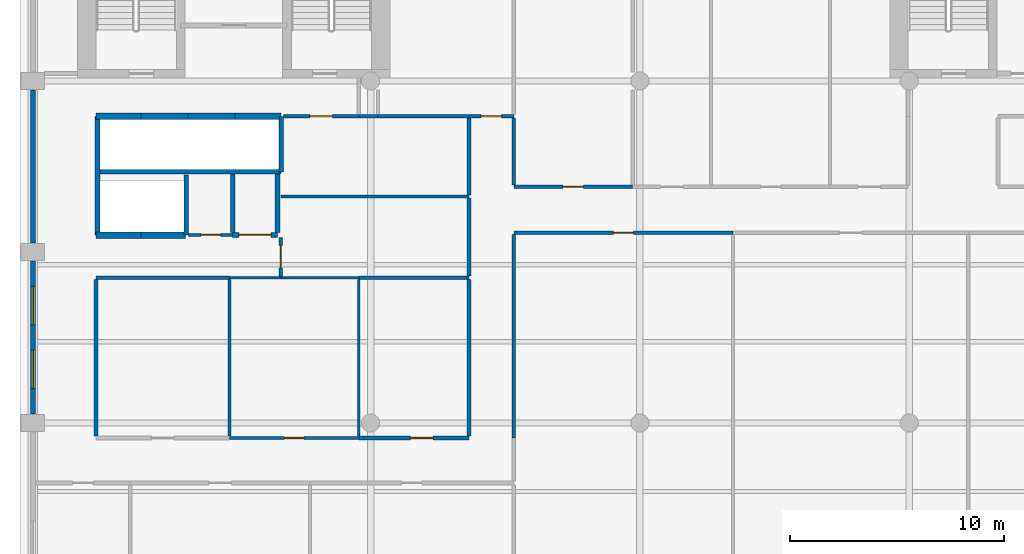
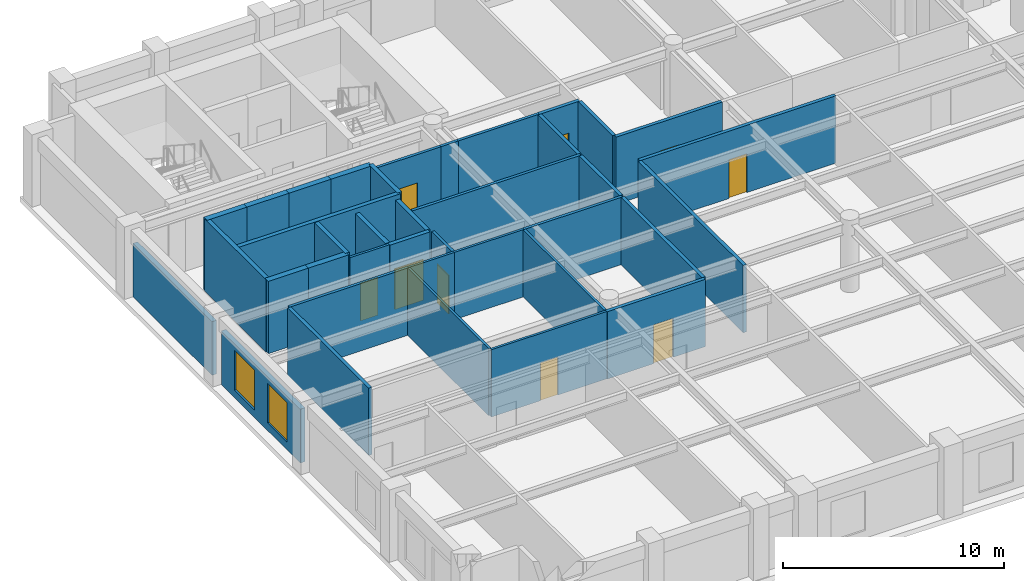
# One storey, part 3 of 8: 38 walls, 9 doors, 2 windows, 11 openings.
"""IFC4 building model written with IfcOpenShell, lengths in metres."""

from ifc_helpers import new_model, si_unit, direction, frame, frame_2d, origin, place, context, subcontext, project, spatial, rectangle, extrude, material, layer, layer_set, type_object, element, fill, save


model = new_model("IFC4")

# Units and contexts
model_context = context("Model", 3, precision=1e-05, world=origin(), true_north=direction((0.0, 1.0)))
body_context = subcontext(model_context, "Body", "Model", "MODEL_VIEW")
ifc_project = project(units=[si_unit("LENGTHUNIT", "METRE"), si_unit("AREAUNIT", "SQUARE_METRE"), si_unit("VOLUMEUNIT", "CUBIC_METRE"), si_unit("PLANEANGLEUNIT", "RADIAN"), si_unit("MASSUNIT", "GRAM", prefix="KILO")], contexts=[model_context])

# Site, building, storey
site_placement = place(None, origin())
site = spatial("IfcSite", under=ifc_project, at=site_placement, CompositionType="ELEMENT")
building_placement = place(site_placement, origin())
building = spatial("IfcBuilding", under=site, at=building_placement, Name="Sulina Concourse Tower", CompositionType="ELEMENT")
storey_placement = place(building_placement, frame((0.0, 0.0, 174.60009765625)))
storey = spatial("IfcBuildingStorey", under=building, at=storey_placement, Name="L42", CompositionType="ELEMENT", Elevation=174.60009765625)

# Walls
ifc_material_1 = material(Name="Concrete C50/60", Category="concrete")
ifc_layer_1 = layer(ifc_material_1, 0.219970703125)
ifc_layer_set_1 = layer_set([ifc_layer_1], Name="Concrete C50/60")
wall_type_1 = type_object("IfcWallType", Name="Core Lift Hoistway Divider Wall 220mm", PredefinedType="SOLIDWALL", material=ifc_layer_set_1)
wall_1_placement = place(storey_placement, frame((3.550048828125, 29.75, 0.0), z_axis=(0.0, 0.0, 1.0), x_axis=(1.0, 0.0, 0.0)))
element("IfcWall", 1, at=wall_1_placement, inside=storey, type_object=wall_type_1, Name="L42 shaft divider wall HW-LP3-S", PredefinedType="SOLIDWALL", context=body_context, shape_type="SweptSolid", body=[
    extrude(rectangle(XDim=8.64990234375, YDim=0.219970703125, at=frame_2d((4.324951171875, 0.0))), origin(), (0.0, 0.0, 1.0), 4.0),
])
wall_2_placement = place(storey_placement, frame((3.6298828125, 26.800048828125, 0.0), z_axis=(0.0, 0.0, 1.0), x_axis=(0.0, 1.0, 0.0)))
element("IfcWall", 2, at=wall_2_placement, inside=storey, type_object=wall_type_1, Name="L42 shaft divider wall HW-LP3-W", PredefinedType="SOLIDWALL", context=body_context, shape_type="SweptSolid", body=[
    extrude(rectangle(XDim=5.550048828125, YDim=0.219970703125, at=frame_2d((2.77490234375, 0.0))), origin(), (0.0, 0.0, 1.0), 4.0),
])
wall_3_placement = place(storey_placement, frame((7.780029296875, 26.800048828125, 0.0), z_axis=(0.0, 0.0, 1.0), x_axis=(0.0, 1.0, 0.0)))
element("IfcWall", 3, at=wall_3_placement, inside=storey, type_object=wall_type_1, Name="L42 shaft divider wall HW-EXP-E", PredefinedType="SOLIDWALL", context=body_context, shape_type="SweptSolid", body=[
    extrude(rectangle(XDim=2.800048828125, YDim=0.219970703125, at=frame_2d((1.39990234375, 0.0))), origin(), (0.0, 0.0, 1.0), 4.0),
])
wall_4_placement = place(storey_placement, frame((12.219970703125, 29.75, 0.0), z_axis=(0.0, 0.0, 1.0), x_axis=(0.0, 1.0, 0.0)))
element("IfcWall", 4, at=wall_4_placement, inside=storey, type_object=wall_type_1, Name="L42 shaft divider wall HW-LP3-E", PredefinedType="SOLIDWALL", context=body_context, shape_type="SweptSolid", body=[
    extrude(rectangle(XDim=2.60009765625, YDim=0.219970703125, at=frame_2d((1.300048828125, 0.0))), origin(), (0.0, 0.0, 1.0), 4.0),
])
ifc_material_2 = material(Name="Concrete C50/60", Category="concrete")
ifc_layer_2 = layer(ifc_material_2, 0.300048828125)
ifc_layer_set_2 = layer_set([ifc_layer_2], Name="Concrete C50/60")
wall_type_2 = type_object("IfcWallType", Name="Core Lift Hoistway Wall 300mm", PredefinedType="SOLIDWALL", material=ifc_layer_set_2)
wall_5_placement = place(storey_placement, frame((3.550048828125, 32.35009765625, 0.0), z_axis=(0.0, 0.0, 1.0), x_axis=(1.0, 0.0, 0.0)))
element("IfcWall", 5, at=wall_5_placement, inside=storey, type_object=wall_type_2, Name="L42 hoistway enclosure wall LP-09", PredefinedType="SOLIDWALL", context=body_context, shape_type="SweptSolid", body=[
    extrude(rectangle(XDim=2.099853515625, YDim=0.300048828125, at=frame_2d((1.0498046875, 0.0))), origin(), (0.0, 0.0, 1.0), 4.0),
])
wall_6_placement = place(storey_placement, frame((5.64990234375, 32.35009765625, 0.0), z_axis=(0.0, 0.0, 1.0), x_axis=(1.0, 0.0, 0.0)))
element("IfcWall", 6, at=wall_6_placement, inside=storey, type_object=wall_type_2, Name="L42 hoistway enclosure wall LP-10", PredefinedType="SOLIDWALL", context=body_context, shape_type="SweptSolid", body=[
    extrude(rectangle(XDim=2.2001953125, YDim=0.300048828125, at=frame_2d((1.10009765625, 0.0))), origin(), (0.0, 0.0, 1.0), 4.0),
])
wall_7_placement = place(storey_placement, frame((7.85009765625, 32.35009765625, 0.0), z_axis=(0.0, 0.0, 1.0), x_axis=(1.0, 0.0, 0.0)))
element("IfcWall", 7, at=wall_7_placement, inside=storey, type_object=wall_type_2, Name="L42 hoistway enclosure wall LP-11", PredefinedType="SOLIDWALL", context=body_context, shape_type="SweptSolid", body=[
    extrude(rectangle(XDim=2.199951171875, YDim=0.300048828125, at=frame_2d((1.10009765625, 0.0))), origin(), (0.0, 0.0, 1.0), 4.0),
])
wall_8_placement = place(storey_placement, frame((10.050048828125, 32.35009765625, 0.0), z_axis=(0.0, 0.0, 1.0), x_axis=(1.0, 0.0, 0.0)))
element("IfcWall", 8, at=wall_8_placement, inside=storey, type_object=wall_type_2, Name="L42 hoistway enclosure wall LP-12", PredefinedType="SOLIDWALL", context=body_context, shape_type="SweptSolid", body=[
    extrude(rectangle(XDim=2.14990234375, YDim=0.300048828125, at=frame_2d((1.074951171875, 0.0))), origin(), (0.0, 0.0, 1.0), 4.0),
])
wall_9_placement = place(storey_placement, frame((5.64990234375, 26.780029296875, 0.0), z_axis=(0.0, 0.0, 1.0), x_axis=(-1.0, 0.0, 0.0)))
element("IfcWall", 9, at=wall_9_placement, inside=storey, type_object=wall_type_2, Name="L42 hoistway enclosure wall EXP-1", PredefinedType="SOLIDWALL", context=body_context, shape_type="SweptSolid", body=[
    extrude(rectangle(XDim=2.099853515625, YDim=0.300048828125, at=frame_2d((1.0498046875, 0.0))), origin(), (0.0, 0.0, 1.0), 4.0),
])
wall_10_placement = place(storey_placement, frame((7.75, 26.780029296875, 0.0), z_axis=(0.0, 0.0, 1.0), x_axis=(-1.0, 0.0, 0.0)))
element("IfcWall", 10, at=wall_10_placement, inside=storey, type_object=wall_type_2, Name="L42 hoistway enclosure wall EXP-2", PredefinedType="SOLIDWALL", context=body_context, shape_type="SweptSolid", body=[
    extrude(rectangle(XDim=2.10009765625, YDim=0.300048828125, at=frame_2d((1.050048828125, 0.0))), origin(), (0.0, 0.0, 1.0), 4.0),
])

# Wall, openings, windows
ifc_material_3 = material(Name="Precast concrete C50/60", Category="concrete")
ifc_layer_3 = layer(ifc_material_3, 0.239990234375)
ifc_layer_set_3 = layer_set([ifc_layer_3], Name="Precast concrete C50/60")
wall_type_3 = type_object("IfcWallType", Name="Crown Precast Masonry-Frame Facade Wall 240mm", PredefinedType="SOLIDWALL", material=ifc_layer_set_3)
wall_11_placement = place(storey_placement, frame((0.60009765625, 18.419921875, 0.0), z_axis=(0.0, 0.0, 1.0), x_axis=(0.0, 1.0, 0.0)))
wall_11 = element("IfcWall", 11, at=wall_11_placement, inside=storey, type_object=wall_type_3, Name="L42 exterior precast wall W3", PredefinedType="SOLIDWALL", context=body_context, shape_type="SweptSolid", body=[
    extrude(rectangle(XDim=7.16015625, YDim=0.239990234375, at=frame_2d((3.580078125, 0.0))), origin(), (0.0, 0.0, 1.0), 2.974853515625),
])
opening_1_placement = place(wall_11_placement, frame((1.186767578125, 0.0, 0.419921875)))
opening_1 = element("IfcOpeningElement", 12, at=opening_1_placement, cuts=wall_11, Name="Opening WN-25", PredefinedType="OPENING", context=body_context, shape_type="SweptSolid", body=[
    extrude(rectangle(XDim=1.800048828125, YDim=2.199951171875, at=frame_2d((0.89990234375, 1.10009765625))), frame((0.0, 0.1298828125, 0.0), z_axis=(0.0, -1.0, 0.0), x_axis=(1.0, 0.0, 0.0)), (0.0, 0.0, 1.0), 0.260009765625),
])
opening_2_placement = place(wall_11_placement, frame((4.17333984375, 0.0, 0.419921875)))
opening_2 = element("IfcOpeningElement", 13, at=opening_2_placement, cuts=wall_11, Name="Opening WN-25", PredefinedType="OPENING", context=body_context, shape_type="SweptSolid", body=[
    extrude(rectangle(XDim=1.800048828125, YDim=2.199951171875, at=frame_2d((0.89990234375, 1.10009765625))), frame((0.0, 0.1298828125, 0.0), z_axis=(0.0, -1.0, 0.0), x_axis=(1.0, 0.0, 0.0)), (0.0, 0.0, 1.0), 0.260009765625),
])
ifc_material_4 = material(Name="Low-E solar double glazing in bronze aluminium", Category="aluminium")
window_type = type_object("IfcWindowType", Name="Punched Masonry-Frame Window 1800x2200", PartitioningType="SINGLE_PANEL", PredefinedType="WINDOW", material=ifc_material_4)
window_1_placement = place(opening_1_placement, origin())
window_1 = element("IfcWindow", 14, at=window_1_placement, inside=storey, type_object=window_type, Name="L42 punched window W3-1", OverallHeight=2.199951171875, OverallWidth=1.800048828125, PartitioningType="SINGLE_PANEL", PredefinedType="WINDOW", context=body_context, shape_type="SweptSolid", body=[
    extrude(rectangle(XDim=1.800048828125, YDim=2.199951171875, at=frame_2d((0.89990234375, 1.10009765625))), frame((0.0, 0.030029296875, 0.0), z_axis=(0.0, -1.0, 0.0), x_axis=(1.0, 0.0, 0.0)), (0.0, 0.0, 1.0), 0.06005859375),
])
fill(opening_1, window_1)
window_2_placement = place(opening_2_placement, origin())
window_2 = element("IfcWindow", 15, at=window_2_placement, inside=storey, type_object=window_type, Name="L42 punched window W3-2", OverallHeight=2.199951171875, OverallWidth=1.800048828125, PartitioningType="SINGLE_PANEL", PredefinedType="WINDOW", context=body_context, shape_type="SweptSolid", body=[
    extrude(rectangle(XDim=1.800048828125, YDim=2.199951171875, at=frame_2d((0.89990234375, 1.10009765625))), frame((0.0, 0.030029296875, 0.0), z_axis=(0.0, -1.0, 0.0), x_axis=(1.0, 0.0, 0.0)), (0.0, 0.0, 1.0), 0.06005859375),
])
fill(opening_2, window_2)

# Wall
wall_12_placement = place(storey_placement, frame((0.60009765625, 26.419921875, 0.0), z_axis=(0.0, 0.0, 1.0), x_axis=(0.0, 1.0, 0.0)))
element("IfcWall", 16, at=wall_12_placement, inside=storey, type_object=wall_type_3, Name="L42 exterior precast wall W4", PredefinedType="SOLIDWALL", context=body_context, shape_type="SweptSolid", body=[
    extrude(rectangle(XDim=7.16015625, YDim=0.239990234375, at=frame_2d((3.580078125, 0.0))), origin(), (0.0, 0.0, 1.0), 2.974853515625),
])

# Wall, opening, door
ifc_material_5 = material(Name="Gypsum board on steel stud", Category="steel")
ifc_layer_4 = layer(ifc_material_5, 0.219970703125)
ifc_layer_set_4 = layer_set([ifc_layer_4], Name="Gypsum board on steel stud")
wall_type_4 = type_object("IfcWallType", Name="Fire-Rated Lobby & Compartment Wall 220mm", PredefinedType="PARTITIONING", material=ifc_layer_set_4)
wall_13_placement = place(storey_placement, frame((9.949951171875, 26.800048828125, 0.0), z_axis=(0.0, 0.0, 1.0), x_axis=(1.0, 0.0, 0.0)))
wall_13 = element("IfcWall", 17, at=wall_13_placement, inside=storey, type_object=wall_type_4, Name="L42 interior partition 012", PredefinedType="PARTITIONING", context=body_context, shape_type="SweptSolid", body=[
    extrude(rectangle(XDim=2.10009765625, YDim=0.219970703125, at=frame_2d((1.050048828125, 0.0))), origin(), (0.0, 0.0, 1.0), 3.724853515625),
])
opening_3_placement = place(wall_13_placement, frame((0.300048828125, 0.0, 0.0)))
opening_3 = element("IfcOpeningElement", 18, at=opening_3_placement, cuts=wall_13, Name="Opening DR-80", PredefinedType="OPENING", context=body_context, shape_type="SweptSolid", body=[
    extrude(rectangle(XDim=1.5, YDim=2.25, at=frame_2d((0.75, 1.125))), frame((0.0, 0.119873046875, 0.0), z_axis=(0.0, -1.0, 0.0), x_axis=(1.0, 0.0, 0.0)), (0.0, 0.0, 1.0), 0.239990234375),
])
ifc_material_6 = material(Name="Galvanised steel acoustic fire leaf", Category="steel")
ifc_layer_5 = layer(ifc_material_6, 0.054931640625)
ifc_layer_set_5 = layer_set([ifc_layer_5], Name="Galvanised steel acoustic fire leaf")
door_type_1 = type_object("IfcDoorType", Name="Mechanical Plant Double Fire Door 1500x2250", OperationType="DOUBLE_DOOR_SINGLE_SWING", PredefinedType="DOOR", material=ifc_layer_set_5)
door_1_placement = place(opening_3_placement, origin())
door_1 = element("IfcDoor", 19, at=door_1_placement, inside=storey, type_object=door_type_1, Name="L42 interior door L42-IT-IDF", OperationType="DOUBLE_DOOR_SINGLE_SWING", OverallHeight=2.25, OverallWidth=1.5, PredefinedType="DOOR", context=body_context, shape_type="SweptSolid", body=[
    extrude(rectangle(XDim=1.5, YDim=2.25, at=frame_2d((0.75, 1.125))), frame((0.0, 0.02490234375, 0.0), z_axis=(0.0, -1.0, 0.0), x_axis=(1.0, 0.0, 0.0)), (0.0, 0.0, 1.0), 0.050048828125),
])
fill(opening_3, door_1)

# Walls
for number, where, z_axis, x_axis, name in (
    (20, (9.949951171875, 26.909912109375, 0.0), (0.0, 0.0, 1.0), (0.0, 1.0, 0.0), "L42 interior partition 034"),
    (21, (12.050048828125, 26.909912109375, 0.0), (0.0, 0.0, 1.0), (0.0, 1.0, 0.0), "L42 interior partition 035"),
):
    element("IfcWall", number, at=place(storey_placement, frame(where, z_axis=z_axis, x_axis=x_axis)), inside=storey, type_object=wall_type_4, Name=name, PredefinedType="PARTITIONING", context=body_context, shape_type="SweptSolid", body=[
        extrude(rectangle(XDim=2.72998046875, YDim=0.219970703125, at=frame_2d((1.364990234375, 0.0))), origin(), (0.0, 0.0, 1.0), 3.724853515625),
    ])
ifc_material_7 = material(Name="Gypsum board on steel stud", Category="steel")
ifc_layer_6 = layer(ifc_material_7, 0.14990234375)
ifc_layer_set_6 = layer_set([ifc_layer_6], Name="Gypsum board on steel stud")
wall_type_5 = type_object("IfcWallType", Name="Inter-Tenancy Acoustic Partition 150mm", PredefinedType="PARTITIONING", material=ifc_layer_set_6)
wall_14_placement = place(storey_placement, frame((3.550048828125, 24.800048828125, 0.0), z_axis=(0.0, 0.0, 1.0), x_axis=(1.0, 0.0, 0.0)))
element("IfcWall", 22, at=wall_14_placement, inside=storey, type_object=wall_type_5, Name="L42 interior partition 007", PredefinedType="PARTITIONING", context=body_context, shape_type="SweptSolid", body=[
    extrude(rectangle(XDim=6.25, YDim=0.14990234375, at=frame_2d((3.125, 0.0))), origin(), (0.0, 0.0, 1.0), 3.724853515625),
])
wall_15_placement = place(storey_placement, frame((15.85009765625, 24.800048828125, 0.0), z_axis=(0.0, 0.0, 1.0), x_axis=(1.0, 0.0, 0.0)))
element("IfcWall", 23, at=wall_15_placement, inside=storey, type_object=wall_type_5, Name="L42 interior partition 010", PredefinedType="PARTITIONING", context=body_context, shape_type="SweptSolid", body=[
    extrude(rectangle(XDim=5.14990234375, YDim=0.14990234375, at=frame_2d((2.574951171875, 0.0))), origin(), (0.0, 0.0, 1.0), 3.724853515625),
])
wall_16_placement = place(storey_placement, frame((12.199951171875, 28.60009765625, 0.0), z_axis=(0.0, 0.0, 1.0), x_axis=(1.0, 0.0, 0.0)))
element("IfcWall", 24, at=wall_16_placement, inside=storey, type_object=wall_type_5, Name="L42 interior partition 016", PredefinedType="PARTITIONING", context=body_context, shape_type="SweptSolid", body=[
    extrude(rectangle(XDim=8.800048828125, YDim=0.14990234375, at=frame_2d((4.39990234375, 0.0))), origin(), (0.0, 0.0, 1.0), 3.724853515625),
])

# Wall, opening, door
wall_17_placement = place(storey_placement, frame((12.330078125, 32.35009765625, 0.0), z_axis=(0.0, 0.0, 1.0), x_axis=(1.0, 0.0, 0.0)))
wall_17 = element("IfcWall", 25, at=wall_17_placement, inside=storey, type_object=wall_type_5, Name="L42 interior partition 022", PredefinedType="PARTITIONING", context=body_context, shape_type="SweptSolid", body=[
    extrude(rectangle(XDim=3.52001953125, YDim=0.14990234375, at=frame_2d((1.760009765625, 0.0))), origin(), (0.0, 0.0, 1.0), 3.724853515625),
])
opening_4_placement = place(wall_17_placement, frame((1.235107421875, 0.0, 0.0)))
opening_4 = element("IfcOpeningElement", 26, at=opening_4_placement, cuts=wall_17, Name="Opening DR-37", PredefinedType="OPENING", context=body_context, shape_type="SweptSolid", body=[
    extrude(rectangle(XDim=1.050048828125, YDim=2.14990234375, at=frame_2d((0.52490234375, 1.074951171875))), frame((0.0, 0.0849609375, 0.0), z_axis=(0.0, -1.0, 0.0), x_axis=(1.0, 0.0, 0.0)), (0.0, 0.0, 1.0), 0.169921875),
])
ifc_material_8 = material(Name="Oak-veneered fire door leaf")
ifc_layer_7 = layer(ifc_material_8, 0.050048828125)
ifc_layer_set_7 = layer_set([ifc_layer_7], Name="Oak-veneered fire door leaf")
door_type_2 = type_object("IfcDoorType", Name="Tenant Suite Entrance Fire Door 1050x2150", OperationType="NOTDEFINED", PredefinedType="DOOR", material=ifc_layer_set_7)
door_2_placement = place(opening_4_placement, origin())
door_2 = element("IfcDoor", 27, at=door_2_placement, inside=storey, type_object=door_type_2, Name="L42 interior door L42-MR-MRG2", OperationType="SINGLE_SWING_LEFT", OverallHeight=2.14990234375, OverallWidth=1.050048828125, PredefinedType="DOOR", context=body_context, shape_type="SweptSolid", body=[
    extrude(rectangle(XDim=1.050048828125, YDim=2.14990234375, at=frame_2d((0.52490234375, 1.074951171875))), frame((0.0, 0.02490234375, 0.0), z_axis=(0.0, -1.0, 0.0), x_axis=(1.0, 0.0, 0.0)), (0.0, 0.0, 1.0), 0.050048828125),
])
fill(opening_4, door_2)

# Walls
wall_18_placement = place(storey_placement, frame((15.85009765625, 32.35009765625, 0.0), z_axis=(0.0, 0.0, 1.0), x_axis=(1.0, 0.0, 0.0)))
element("IfcWall", 28, at=wall_18_placement, inside=storey, type_object=wall_type_5, Name="L42 interior partition 023", PredefinedType="PARTITIONING", context=body_context, shape_type="SweptSolid", body=[
    extrude(rectangle(XDim=0.89990234375, YDim=0.14990234375, at=frame_2d((0.449951171875, 0.0))), origin(), (0.0, 0.0, 1.0), 3.724853515625),
])
wall_19_placement = place(storey_placement, frame((16.75, 32.35009765625, 0.0), z_axis=(0.0, 0.0, 1.0), x_axis=(1.0, 0.0, 0.0)))
element("IfcWall", 29, at=wall_19_placement, inside=storey, type_object=wall_type_5, Name="L42 interior partition 024", PredefinedType="PARTITIONING", context=body_context, shape_type="SweptSolid", body=[
    extrude(rectangle(XDim=4.25, YDim=0.14990234375, at=frame_2d((2.125, 0.0))), origin(), (0.0, 0.0, 1.0), 3.724853515625),
])

# Wall, opening, door
wall_20_placement = place(storey_placement, frame((12.199951171875, 24.862548828125, 0.0), z_axis=(0.0, 0.0, 1.0), x_axis=(0.0, 1.0, 0.0)))
wall_20 = element("IfcWall", 30, at=wall_20_placement, inside=storey, type_object=wall_type_5, Name="L42 interior partition 036", PredefinedType="PARTITIONING", context=body_context, shape_type="SweptSolid", body=[
    extrude(rectangle(XDim=1.827392578125, YDim=0.14990234375, at=frame_2d((0.91357421875, 0.0))), origin(), (0.0, 0.0, 1.0), 3.724853515625),
])
opening_5_placement = place(wall_20_placement, frame((0.388916015625, 0.0, 0.0)))
opening_5 = element("IfcOpeningElement", 31, at=opening_5_placement, cuts=wall_20, Name="Opening DR-37", PredefinedType="OPENING", context=body_context, shape_type="SweptSolid", body=[
    extrude(rectangle(XDim=1.050048828125, YDim=2.14990234375, at=frame_2d((0.52490234375, 1.074951171875))), frame((0.0, 0.0849609375, 0.0), z_axis=(0.0, -1.0, 0.0), x_axis=(1.0, 0.0, 0.0)), (0.0, 0.0, 1.0), 0.169921875),
])
door_3_placement = place(opening_5_placement, origin())
door_3 = element("IfcDoor", 32, at=door_3_placement, inside=storey, type_object=door_type_2, Name="L42 interior door L42-MR-MRG1", OperationType="SINGLE_SWING_LEFT", OverallHeight=2.14990234375, OverallWidth=1.050048828125, PredefinedType="DOOR", context=body_context, shape_type="SweptSolid", body=[
    extrude(rectangle(XDim=1.050048828125, YDim=2.14990234375, at=frame_2d((0.52490234375, 1.074951171875))), frame((0.0, 0.02490234375, 0.0), z_axis=(0.0, -1.0, 0.0), x_axis=(1.0, 0.0, 0.0)), (0.0, 0.0, 1.0), 0.050048828125),
])
fill(opening_5, door_3)

ifc_material_9 = material(Name="Gypsum board on steel stud", Category="steel")
ifc_layer_8 = layer(ifc_material_9, 0.179931640625)
ifc_layer_set_8 = layer_set([ifc_layer_8], Name="Gypsum board on steel stud")
wall_type_6 = type_object("IfcWallType", Name="Protected Corridor & Riser Partition 180mm", PredefinedType="PARTITIONING", material=ifc_layer_set_8)
wall_21_placement = place(storey_placement, frame((15.85009765625, 17.300048828125, 0.0), z_axis=(0.0, 0.0, 1.0), x_axis=(1.0, 0.0, 0.0)))
wall_21 = element("IfcWall", 33, at=wall_21_placement, inside=storey, type_object=wall_type_6, Name="L42 interior partition 006", PredefinedType="PARTITIONING", context=body_context, shape_type="SweptSolid", body=[
    extrude(rectangle(XDim=5.14990234375, YDim=0.179931640625, at=frame_2d((2.574951171875, 0.0))), origin(), (0.0, 0.0, 1.0), 3.724853515625),
])
opening_6_placement = place(wall_21_placement, frame((2.409912109375, 0.0, 0.0)))
opening_6 = element("IfcOpeningElement", 34, at=opening_6_placement, cuts=wall_21, Name="Opening DR-37", PredefinedType="OPENING", context=body_context, shape_type="SweptSolid", body=[
    extrude(rectangle(XDim=1.050048828125, YDim=2.14990234375, at=frame_2d((0.52490234375, 1.074951171875))), frame((0.0, 0.099853515625, 0.0), z_axis=(0.0, -1.0, 0.0), x_axis=(1.0, 0.0, 0.0)), (0.0, 0.0, 1.0), 0.199951171875),
])
door_4_placement = place(opening_6_placement, origin())
door_4 = element("IfcDoor", 35, at=door_4_placement, inside=storey, type_object=door_type_2, Name="L42 interior door L42-NZ-PKW", OperationType="SINGLE_SWING_LEFT", OverallHeight=2.14990234375, OverallWidth=1.050048828125, PredefinedType="DOOR", context=body_context, shape_type="SweptSolid", body=[
    extrude(rectangle(XDim=1.050048828125, YDim=2.14990234375, at=frame_2d((0.52490234375, 1.074951171875))), frame((0.0, 0.02490234375, 0.0), z_axis=(0.0, -1.0, 0.0), x_axis=(1.0, 0.0, 0.0)), (0.0, 0.0, 1.0), 0.050048828125),
])
fill(opening_6, door_4)

wall_22_placement = place(storey_placement, frame((23.10009765625, 26.89990234375, 0.0), z_axis=(0.0, 0.0, 1.0), x_axis=(1.0, 0.0, 0.0)))
wall_22 = element("IfcWall", 36, at=wall_22_placement, inside=storey, type_object=wall_type_6, Name="L42 interior partition 013", PredefinedType="PARTITIONING", context=body_context, shape_type="SweptSolid", body=[
    extrude(rectangle(XDim=10.260009765625, YDim=0.179931640625, at=frame_2d((5.1298828125, 0.0))), origin(), (0.0, 0.0, 1.0), 3.724853515625),
])
opening_7_placement = place(wall_22_placement, frame((4.655029296875, 0.0, 0.0)))
opening_7 = element("IfcOpeningElement", 37, at=opening_7_placement, cuts=wall_22, Name="Opening DR-19", PredefinedType="OPENING", context=body_context, shape_type="SweptSolid", body=[
    extrude(rectangle(XDim=0.949951171875, YDim=2.14990234375, at=frame_2d((0.47509765625, 1.074951171875))), frame((0.0, 0.099853515625, 0.0), z_axis=(0.0, -1.0, 0.0), x_axis=(1.0, 0.0, 0.0)), (0.0, 0.0, 1.0), 0.199951171875),
])
ifc_material_10 = material(Name="Oak-veneered acoustic timber leaf", Category="wood")
ifc_layer_9 = layer(ifc_material_10, 0.050048828125)
ifc_layer_set_9 = layer_set([ifc_layer_9], Name="Oak-veneered acoustic timber leaf")
door_type_3 = type_object("IfcDoorType", Name="Cellular Office & Meeting Door 950x2150", OperationType="NOTDEFINED", PredefinedType="DOOR", material=ifc_layer_set_9)
door_5_placement = place(opening_7_placement, origin())
door_5 = element("IfcDoor", 38, at=door_5_placement, inside=storey, type_object=door_type_3, Name="L42 interior door L42-S04", OperationType="SINGLE_SWING_LEFT", OverallHeight=2.14990234375, OverallWidth=0.949951171875, PredefinedType="DOOR", context=body_context, shape_type="SweptSolid", body=[
    extrude(rectangle(XDim=0.949951171875, YDim=2.14990234375, at=frame_2d((0.47509765625, 1.074951171875))), frame((0.0, 0.02490234375, 0.0), z_axis=(0.0, -1.0, 0.0), x_axis=(1.0, 0.0, 0.0)), (0.0, 0.0, 1.0), 0.050048828125),
])
fill(opening_7, door_5)

wall_23_placement = place(storey_placement, frame((23.10009765625, 29.050048828125, 0.0), z_axis=(0.0, 0.0, 1.0), x_axis=(1.0, 0.0, 0.0)))
wall_23 = element("IfcWall", 39, at=wall_23_placement, inside=storey, type_object=wall_type_6, Name="L42 interior partition 017", PredefinedType="PARTITIONING", context=body_context, shape_type="SweptSolid", body=[
    extrude(rectangle(XDim=5.559814453125, YDim=0.179931640625, at=frame_2d((2.77978515625, 0.0))), origin(), (0.0, 0.0, 1.0), 3.724853515625),
])
opening_8_placement = place(wall_23_placement, frame((2.304931640625, 0.0, 0.0)))
opening_8 = element("IfcOpeningElement", 40, at=opening_8_placement, cuts=wall_23, Name="Opening DR-19", PredefinedType="OPENING", context=body_context, shape_type="SweptSolid", body=[
    extrude(rectangle(XDim=0.949951171875, YDim=2.14990234375, at=frame_2d((0.47509765625, 1.074951171875))), frame((0.0, 0.099853515625, 0.0), z_axis=(0.0, -1.0, 0.0), x_axis=(1.0, 0.0, 0.0)), (0.0, 0.0, 1.0), 0.199951171875),
])
door_6_placement = place(opening_8_placement, origin())
door_6 = element("IfcDoor", 41, at=door_6_placement, inside=storey, type_object=door_type_3, Name="L42 interior door L42-NC1", OperationType="SINGLE_SWING_RIGHT", OverallHeight=2.14990234375, OverallWidth=0.949951171875, PredefinedType="DOOR", context=body_context, shape_type="SweptSolid", body=[
    extrude(rectangle(XDim=0.949951171875, YDim=2.14990234375, at=frame_2d((0.47509765625, 1.074951171875))), frame((0.0, 0.02490234375, 0.0), z_axis=(0.0, -1.0, 0.0), x_axis=(1.0, 0.0, 0.0)), (0.0, 0.0, 1.0), 0.050048828125),
])
fill(opening_8, door_6)

wall_24_placement = place(storey_placement, frame((21.0, 32.35009765625, 0.0), z_axis=(0.0, 0.0, 1.0), x_axis=(1.0, 0.0, 0.0)))
wall_24 = element("IfcWall", 42, at=wall_24_placement, inside=storey, type_object=wall_type_6, Name="L42 interior partition 025", PredefinedType="PARTITIONING", context=body_context, shape_type="SweptSolid", body=[
    extrude(rectangle(XDim=2.10009765625, YDim=0.179931640625, at=frame_2d((1.050048828125, 0.0))), origin(), (0.0, 0.0, 1.0), 3.724853515625),
])
opening_9_placement = place(wall_24_placement, frame((0.574951171875, 0.0, 0.0)))
opening_9 = element("IfcOpeningElement", 43, at=opening_9_placement, cuts=wall_24, Name="Opening DR-19", PredefinedType="OPENING", context=body_context, shape_type="SweptSolid", body=[
    extrude(rectangle(XDim=0.949951171875, YDim=2.14990234375, at=frame_2d((0.47509765625, 1.074951171875))), frame((0.0, 0.099853515625, 0.0), z_axis=(0.0, -1.0, 0.0), x_axis=(1.0, 0.0, 0.0)), (0.0, 0.0, 1.0), 0.199951171875),
])
door_7_placement = place(opening_9_placement, origin())
door_7 = element("IfcDoor", 44, at=door_7_placement, inside=storey, type_object=door_type_3, Name="L42 interior door L42-NC-NW", OperationType="SINGLE_SWING_RIGHT", OverallHeight=2.14990234375, OverallWidth=0.949951171875, PredefinedType="DOOR", context=body_context, shape_type="SweptSolid", body=[
    extrude(rectangle(XDim=0.949951171875, YDim=2.14990234375, at=frame_2d((0.47509765625, 1.074951171875))), frame((0.0, 0.02490234375, 0.0), z_axis=(0.0, -1.0, 0.0), x_axis=(1.0, 0.0, 0.0)), (0.0, 0.0, 1.0), 0.050048828125),
])
fill(opening_9, door_7)

# Walls
for number, where, z_axis, x_axis, name in (
    (45, (3.550048828125, 17.389892578125, 0.0), (0.0, 0.0, 1.0), (0.0, 1.0, 0.0), "L42 interior partition 031"),
    (46, (21.0, 17.389892578125, 0.0), (0.0, 0.0, 1.0), (0.0, 1.0, 0.0), "L42 interior partition 041"),
):
    element("IfcWall", number, at=place(storey_placement, frame(where, z_axis=z_axis, x_axis=x_axis)), inside=storey, type_object=wall_type_6, Name=name, PredefinedType="PARTITIONING", context=body_context, shape_type="SweptSolid", body=[
        extrude(rectangle(XDim=7.335205078125, YDim=0.179931640625, at=frame_2d((3.66748046875, 0.0))), origin(), (0.0, 0.0, 1.0), 3.724853515625),
    ])
wall_25_placement = place(storey_placement, frame((21.0, 24.875, 0.0), z_axis=(0.0, 0.0, 1.0), x_axis=(0.0, 1.0, 0.0)))
element("IfcWall", 47, at=wall_25_placement, inside=storey, type_object=wall_type_6, Name="L42 interior partition 042", PredefinedType="PARTITIONING", context=body_context, shape_type="SweptSolid", body=[
    extrude(rectangle(XDim=3.64990234375, YDim=0.179931640625, at=frame_2d((1.824951171875, 0.0))), origin(), (0.0, 0.0, 1.0), 3.724853515625),
])
wall_26_placement = place(storey_placement, frame((21.0, 28.675048828125, 0.0), z_axis=(0.0, 0.0, 1.0), x_axis=(0.0, 1.0, 0.0)))
element("IfcWall", 48, at=wall_26_placement, inside=storey, type_object=wall_type_6, Name="L42 interior partition 043", PredefinedType="PARTITIONING", context=body_context, shape_type="SweptSolid", body=[
    extrude(rectangle(XDim=3.5849609375, YDim=0.179931640625, at=frame_2d((1.79248046875, 0.0))), origin(), (0.0, 0.0, 1.0), 3.724853515625),
])
wall_27_placement = place(storey_placement, frame((23.10009765625, 17.300048828125, 0.0), z_axis=(0.0, 0.0, 1.0), x_axis=(0.0, 1.0, 0.0)))
element("IfcWall", 49, at=wall_27_placement, inside=storey, type_object=wall_type_6, Name="L42 interior partition 046", PredefinedType="PARTITIONING", context=body_context, shape_type="SweptSolid", body=[
    extrude(rectangle(XDim=9.510009765625, YDim=0.179931640625, at=frame_2d((4.7548828125, 0.0))), origin(), (0.0, 0.0, 1.0), 3.724853515625),
])
wall_28_placement = place(storey_placement, frame((23.10009765625, 29.139892578125, 0.0), z_axis=(0.0, 0.0, 1.0), x_axis=(0.0, 1.0, 0.0)))
element("IfcWall", 50, at=wall_28_placement, inside=storey, type_object=wall_type_6, Name="L42 interior partition 047", PredefinedType="PARTITIONING", context=body_context, shape_type="SweptSolid", body=[
    extrude(rectangle(XDim=3.1201171875, YDim=0.179931640625, at=frame_2d((1.56005859375, 0.0))), origin(), (0.0, 0.0, 1.0), 3.724853515625),
])

# Wall, opening, door
ifc_material_11 = material(Name="Gypsum board on steel stud", Category="steel")
ifc_layer_10 = layer(ifc_material_11, 0.125)
ifc_layer_set_10 = layer_set([ifc_layer_10], Name="Gypsum board on steel stud")
wall_type_7 = type_object("IfcWallType", Name="Wet-Area Moisture-Resistant Partition 125mm", PredefinedType="PARTITIONING", material=ifc_layer_set_10)
wall_29_placement = place(storey_placement, frame((9.800048828125, 17.300048828125, 0.0), z_axis=(0.0, 0.0, 1.0), x_axis=(1.0, 0.0, 0.0)))
wall_29 = element("IfcWall", 51, at=wall_29_placement, inside=storey, type_object=wall_type_7, Name="L42 interior partition 005", PredefinedType="PARTITIONING", context=body_context, shape_type="SweptSolid", body=[
    extrude(rectangle(XDim=6.050048828125, YDim=0.125, at=frame_2d((3.02490234375, 0.0))), origin(), (0.0, 0.0, 1.0), 3.724853515625),
])
opening_10_placement = place(wall_29_placement, frame((2.574951171875, 0.0, 0.0)))
opening_10 = element("IfcOpeningElement", 52, at=opening_10_placement, cuts=wall_29, Name="Opening DR-21", PredefinedType="OPENING", context=body_context, shape_type="SweptSolid", body=[
    extrude(rectangle(XDim=0.89990234375, YDim=2.10009765625, at=frame_2d((0.449951171875, 1.050048828125))), frame((0.0, 0.072509765625, 0.0), z_axis=(0.0, -1.0, 0.0), x_axis=(1.0, 0.0, 0.0)), (0.0, 0.0, 1.0), 0.14501953125),
])
ifc_material_12 = material(Name="Oak-veneered fire door leaf")
ifc_layer_11 = layer(ifc_material_12, 0.050048828125)
ifc_layer_set_11 = layer_set([ifc_layer_11], Name="Oak-veneered fire door leaf")
door_type_4 = type_object("IfcDoorType", Name="Restroom & Service Door 900x2100", OperationType="NOTDEFINED", PredefinedType="DOOR", material=ifc_layer_set_11)
door_8_placement = place(opening_10_placement, origin())
door_8 = element("IfcDoor", 53, at=door_8_placement, inside=storey, type_object=door_type_4, Name="L42 interior door L42-LR-MRG2", OperationType="SINGLE_SWING_RIGHT", OverallHeight=2.10009765625, OverallWidth=0.89990234375, PredefinedType="DOOR", context=body_context, shape_type="SweptSolid", body=[
    extrude(rectangle(XDim=0.89990234375, YDim=2.10009765625, at=frame_2d((0.449951171875, 1.050048828125))), frame((0.0, 0.02490234375, 0.0), z_axis=(0.0, -1.0, 0.0), x_axis=(1.0, 0.0, 0.0)), (0.0, 0.0, 1.0), 0.050048828125),
])
fill(opening_10, door_8)

# Walls
wall_30_placement = place(storey_placement, frame((9.800048828125, 24.800048828125, 0.0), z_axis=(0.0, 0.0, 1.0), x_axis=(1.0, 0.0, 0.0)))
element("IfcWall", 54, at=wall_30_placement, inside=storey, type_object=wall_type_7, Name="L42 interior partition 008", PredefinedType="PARTITIONING", context=body_context, shape_type="SweptSolid", body=[
    extrude(rectangle(XDim=2.39990234375, YDim=0.125, at=frame_2d((1.199951171875, 0.0))), origin(), (0.0, 0.0, 1.0), 3.724853515625),
])
wall_31_placement = place(storey_placement, frame((12.199951171875, 24.800048828125, 0.0), z_axis=(0.0, 0.0, 1.0), x_axis=(1.0, 0.0, 0.0)))
element("IfcWall", 55, at=wall_31_placement, inside=storey, type_object=wall_type_7, Name="L42 interior partition 009", PredefinedType="PARTITIONING", context=body_context, shape_type="SweptSolid", body=[
    extrude(rectangle(XDim=3.650146484375, YDim=0.125, at=frame_2d((1.8251953125, 0.0))), origin(), (0.0, 0.0, 1.0), 3.724853515625),
])

# Wall, opening, door
wall_32_placement = place(storey_placement, frame((7.889892578125, 26.800048828125, 0.0), z_axis=(0.0, 0.0, 1.0), x_axis=(1.0, 0.0, 0.0)))
wall_32 = element("IfcWall", 56, at=wall_32_placement, inside=storey, type_object=wall_type_7, Name="L42 interior partition 011", PredefinedType="PARTITIONING", context=body_context, shape_type="SweptSolid", body=[
    extrude(rectangle(XDim=2.06005859375, YDim=0.125, at=frame_2d((1.030029296875, 0.0))), origin(), (0.0, 0.0, 1.0), 3.724853515625),
])
opening_11_placement = place(wall_32_placement, frame((0.570068359375, 0.0, 0.0)))
opening_11 = element("IfcOpeningElement", 57, at=opening_11_placement, cuts=wall_32, Name="Opening DR-61", PredefinedType="OPENING", context=body_context, shape_type="SweptSolid", body=[
    extrude(rectangle(XDim=0.919921875, YDim=2.10009765625, at=frame_2d((0.4599609375, 1.050048828125))), frame((0.0, 0.072509765625, 0.0), z_axis=(0.0, -1.0, 0.0), x_axis=(1.0, 0.0, 0.0)), (0.0, 0.0, 1.0), 0.14501953125),
])
ifc_material_13 = material(Name="Oak-veneered fire door leaf")
ifc_layer_12 = layer(ifc_material_13, 0.050048828125)
ifc_layer_set_12 = layer_set([ifc_layer_12], Name="Oak-veneered fire door leaf")
door_type_5 = type_object("IfcDoorType", Name="Accessible WC Door 920x2100", OperationType="NOTDEFINED", PredefinedType="DOOR", material=ifc_layer_set_12)
door_9_placement = place(opening_11_placement, origin())
door_9 = element("IfcDoor", 58, at=door_9_placement, inside=storey, type_object=door_type_5, Name="L42 interior door L42-WC-ACC", OperationType="SINGLE_SWING_RIGHT", OverallHeight=2.10009765625, OverallWidth=0.919921875, PredefinedType="DOOR", context=body_context, shape_type="SweptSolid", body=[
    extrude(rectangle(XDim=0.919921875, YDim=2.10009765625, at=frame_2d((0.4599609375, 1.050048828125))), frame((0.0, 0.02490234375, 0.0), z_axis=(0.0, -1.0, 0.0), x_axis=(1.0, 0.0, 0.0)), (0.0, 0.0, 1.0), 0.050048828125),
])
fill(opening_11, door_9)

# Walls
for number, where, z_axis, x_axis, name in (
    (59, (9.800048828125, 17.389892578125, 0.0), (0.0, 0.0, 1.0), (0.0, 1.0, 0.0), "L42 interior partition 033"),
    (60, (15.85009765625, 17.389892578125, 0.0), (0.0, 0.0, 1.0), (0.0, 1.0, 0.0), "L42 interior partition 038"),
):
    element("IfcWall", number, at=place(storey_placement, frame(where, z_axis=z_axis, x_axis=x_axis)), inside=storey, type_object=wall_type_7, Name=name, PredefinedType="PARTITIONING", context=body_context, shape_type="SweptSolid", body=[
        extrude(rectangle(XDim=7.335205078125, YDim=0.125, at=frame_2d((3.66748046875, 0.0))), origin(), (0.0, 0.0, 1.0), 3.724853515625),
    ])

save(model, "model.ifc")
